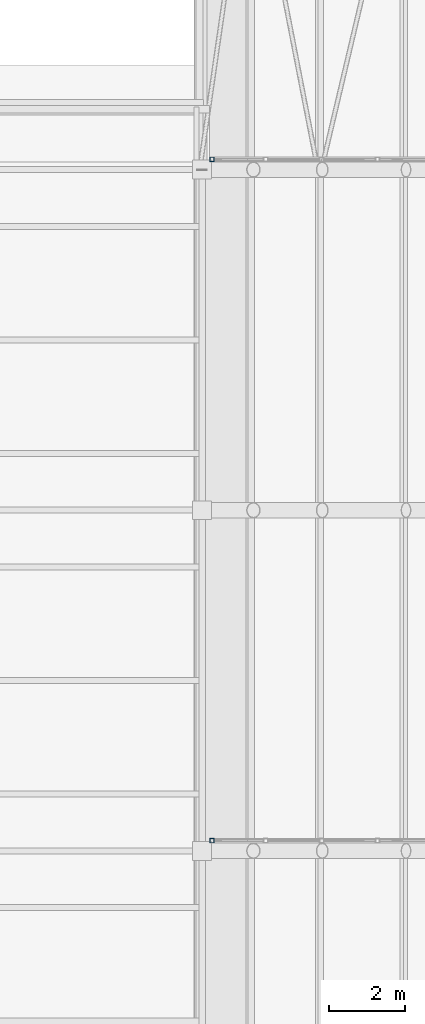
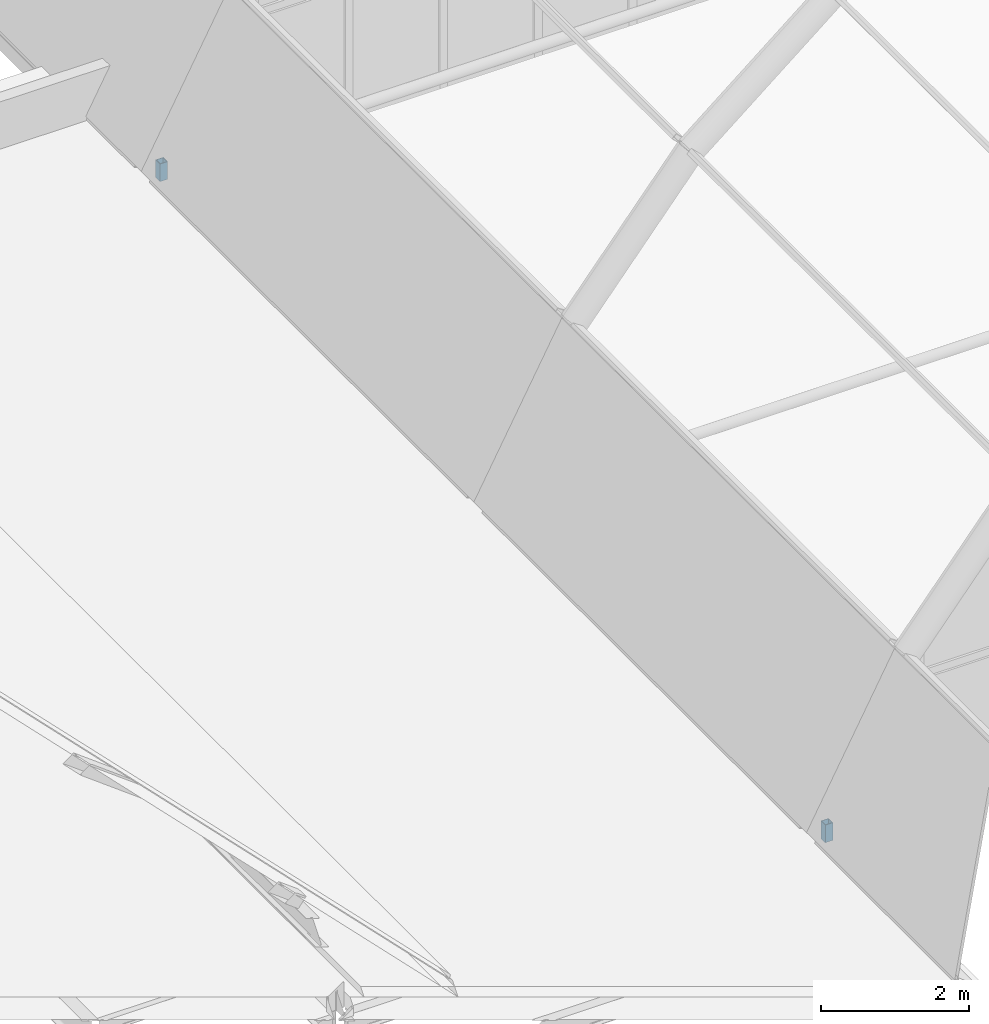
# One storey, part 66 of 121: 2 members, 2 elements without a shape of their own.
"""IFC4 building model written with IfcOpenShell, lengths in metres."""

import ifcopenshell
import ifcopenshell.guid

model = None  # the IFC model being written
_history = None  # IfcOwnerHistory: only IFC2X3 demands one
_inside = {}  # id of a spatial element -> (the spatial element, [elements in it])
_under = {}  # id of a project, library or spatial element -> (it, [spatial elements below it])
_declared = {}  # id of a project -> (the project, [libraries it declares])
_typed = {}  # id of a type object -> (the type object, [elements of that type])
_made_of = {}  # id of a material, layer set ... -> (it, [elements and type objects made of it])


def new_model(schema):
    """Start an empty IFC model of exactly this schema.

    Asked for "IFC4X3", IfcOpenShell would pick the latest addendum, in which some entities
    have other attributes; the version numbers below select the first issue.
    IFC2X3 requires an IfcOwnerHistory on every rooted entity: one is made here for all.
    """
    global model, _history
    if schema == "IFC4X3":
        model = ifcopenshell.file(schema_version=(4, 3, 0, 0))
    else:
        model = ifcopenshell.file(schema=schema)
    _inside.clear()
    _under.clear()
    _declared.clear()
    _typed.clear()
    _made_of.clear()
    _history = None
    if model.schema == "IFC2X3":
        org = make("IfcOrganization", Name="unknown")
        user = make(
            "IfcPersonAndOrganization",
            ThePerson=make("IfcPerson", FamilyName="unknown"),
            TheOrganization=org,
        )
        app = make(
            "IfcApplication",
            ApplicationDeveloper=org,
            Version="unknown",
            ApplicationFullName="unknown",
            ApplicationIdentifier="unknown",
        )
        _history = make(
            "IfcOwnerHistory",
            OwningUser=user,
            OwningApplication=app,
            ChangeAction="ADDED",
            CreationDate=0,
        )
    return model


def make(cls, **values):
    """One entity of the class cls with the attributes given. An attribute that is None is left unset."""
    return model.create_entity(
        cls, **{name: value for name, value in values.items() if value is not None}
    )


def rooted(cls, **values):
    """An entity with a GlobalId (a new one), such as an element, a storey or a relation."""
    return make(cls, GlobalId=ifcopenshell.guid.new(), OwnerHistory=_history, **values)


def si_unit(unit_type, name, prefix=None):
    """IfcSIUnit, for example si_unit("LENGTHUNIT", "METRE", prefix="MILLI")."""
    return make("IfcSIUnit", UnitType=unit_type, Prefix=prefix, Name=name)


def assignment(units):
    """IfcUnitAssignment: the units of a project."""
    return None if units is None else make("IfcUnitAssignment", Units=units)


def point(xyz):
    """IfcCartesianPoint."""
    return None if xyz is None else make("IfcCartesianPoint", Coordinates=xyz)


def direction(xyz):
    """IfcDirection."""
    return None if xyz is None else make("IfcDirection", DirectionRatios=xyz)


def frame(location, z_axis=None, x_axis=None):
    """IfcAxis2Placement3D, a coordinate frame: its origin and axes. An axis left out is left unset."""
    return make(
        "IfcAxis2Placement3D",
        Location=point(location),
        Axis=direction(z_axis),
        RefDirection=direction(x_axis),
    )


def frame_2d(location, x_axis=None):
    """IfcAxis2Placement2D, a coordinate frame in the plane: its origin and x axis."""
    return make(
        "IfcAxis2Placement2D", Location=point(location), RefDirection=direction(x_axis)
    )


def origin():
    """The frame at (0, 0, 0) with its axes left unset."""
    return frame((0.0, 0.0, 0.0))


def origin_2d():
    """The frame at (0, 0) in the plane with its x axis left unset."""
    return frame_2d((0.0, 0.0))


def place(relative_to, where):
    """IfcLocalPlacement: puts the frame where relative to a parent placement (None: the world)."""
    return make(
        "IfcLocalPlacement", PlacementRelTo=relative_to, RelativePlacement=where
    )


def context(
    kind, dimensions, precision=None, world=None, true_north=None, identifier=None
):
    """IfcGeometricRepresentationContext, for example the 3D "Model" context."""
    return make(
        "IfcGeometricRepresentationContext",
        ContextIdentifier=identifier,
        ContextType=kind,
        CoordinateSpaceDimension=dimensions,
        Precision=precision,
        WorldCoordinateSystem=world,
        TrueNorth=true_north,
    )


def subcontext(parent, identifier, kind, view, scale=None):
    """IfcGeometricRepresentationSubContext, for example "Body" below "Model"."""
    return make(
        "IfcGeometricRepresentationSubContext",
        ContextIdentifier=identifier,
        ContextType=kind,
        ParentContext=parent,
        TargetScale=scale,
        TargetView=view,
    )


def project(units=None, contexts=None):
    """IfcProject with its units and contexts."""
    return rooted(
        "IfcProject",
        Name="project",
        RepresentationContexts=contexts,
        UnitsInContext=assignment(units),
    )


def spatial(cls, under=None, at=None, **own):
    """A site, building, storey or space (cls), placed at a placement, below another one or the project."""
    s = rooted(cls, ObjectPlacement=at, **own)
    if under is not None:
        _under.setdefault(under.id(), (under, []))[1].append(s)
    return s


def profile(cls, at=None, kind="AREA", **sizes):
    """A parametric profile (cls). Its sizes go by their IFC names, for example OverallWidth=200.0."""
    return make(cls, ProfileType=kind, Position=at, **sizes)


def hollow_rectangle(**sizes):
    """IfcRectangleHollowProfileDef."""
    return profile("IfcRectangleHollowProfileDef", **sizes)


def extrude(swept, where, along, depth):
    """IfcExtrudedAreaSolid: the profile swept, set in the frame where, extruded along a direction by depth."""
    return make(
        "IfcExtrudedAreaSolid",
        SweptArea=swept,
        Position=where,
        ExtrudedDirection=direction(along),
        Depth=depth,
    )


def shape(context_of_items, identifier, shape_type, items):
    """IfcShapeRepresentation: the items that make up one representation, for example the "Body"."""
    return make(
        "IfcShapeRepresentation",
        ContextOfItems=context_of_items,
        RepresentationIdentifier=identifier,
        RepresentationType=shape_type,
        Items=items,
    )


def material(Name=None, Category=None):
    """IfcMaterial."""
    return make("IfcMaterial", Name=Name, Category=Category)


def material_profile(
    of_material, cross_section, Name=None, Category=None, Priority=None
):
    """IfcMaterialProfile: a cross section and its material."""
    return make(
        "IfcMaterialProfile",
        Name=Name,
        Material=of_material,
        Profile=cross_section,
        Priority=Priority,
        Category=Category,
    )


def profile_set(profiles, Name=None, composite=None):
    """IfcMaterialProfileSet."""
    return make(
        "IfcMaterialProfileSet",
        Name=Name,
        MaterialProfiles=profiles,
        CompositeProfile=composite,
    )


def made_of(thing, what):
    """Note that an element or type object is made of a material, layer set ...; save() writes the relation."""
    if what is not None:
        _made_of.setdefault(what.id(), (what, []))[1].append(thing)
    return thing


def type_object(cls, material=None, **own):
    """A type object (cls), such as IfcWallType, which elements share."""
    return made_of(rooted(cls, **own), material)


def element(
    cls,
    number,
    at=None,
    inside=None,
    cuts=None,
    type_object=None,
    material=None,
    context=None,
    identifier="Body",
    shape_type=None,
    held_by="IfcProductDefinitionShape",
    body=None,
    shapes=None,
    **own,
):
    """One element of the class cls, such as IfcWall. Its Tag is "e" and its number.

    at: its placement. inside: the storey or other place that contains it. cuts: it is an
    opening in that element (IfcRelVoidsElement). A single representation is given by context,
    identifier, shape_type and body (its items); several are given by shapes. held_by: the class
    of the entity that holds the representations. save() writes the other relations.
    """
    e = rooted(cls, Tag="e%d" % number, ObjectPlacement=at, **own)
    if body is not None:
        shapes = [shape(context, identifier, shape_type, body)]
    if shapes is not None:
        e.Representation = make(held_by, Representations=shapes)
    if inside is not None:
        _inside.setdefault(inside.id(), (inside, []))[1].append(e)
    if cuts is not None:
        rooted(
            "IfcRelVoidsElement", RelatingBuildingElement=cuts, RelatedOpeningElement=e
        )
    if type_object is not None:
        _typed.setdefault(type_object.id(), (type_object, []))[1].append(e)
    return made_of(e, material)


def aggregate(whole, parts):
    """IfcRelAggregates: a whole, such as a stair, and the parts it consists of."""
    return rooted("IfcRelAggregates", RelatingObject=whole, RelatedObjects=parts)


def save(model, path):
    """Write the relations noted so far, then the file.

    IfcRelAggregates (storeys below a building ...), IfcRelContainedInSpatialStructure (elements
    in a storey), IfcRelDefinesByType, IfcRelAssociatesMaterial and IfcRelDeclares: one each for
    every whole, place, type object, material and project.
    """
    for whole, parts in _under.values():
        aggregate(whole, parts)
    for where, things in _inside.values():
        rooted(
            "IfcRelContainedInSpatialStructure",
            RelatedElements=things,
            RelatingStructure=where,
        )
    for kind, things in _typed.values():
        rooted("IfcRelDefinesByType", RelatedObjects=things, RelatingType=kind)
    for what, things in _made_of.values():
        rooted("IfcRelAssociatesMaterial", RelatedObjects=things, RelatingMaterial=what)
    for by, libraries in _declared.values():
        rooted("IfcRelDeclares", RelatingContext=by, RelatedDefinitions=libraries)
    model.write(path)


model = new_model("IFC4")

# Units and contexts
model_context = context("Model", 3, precision=1e-05, world=origin(), true_north=direction((0.0, 1.0)))
body_context = subcontext(model_context, "Body", "Model", "MODEL_VIEW")
ifc_project = project(units=[si_unit("LENGTHUNIT", "METRE"), si_unit("AREAUNIT", "SQUARE_METRE"), si_unit("VOLUMEUNIT", "CUBIC_METRE"), si_unit("PLANEANGLEUNIT", "RADIAN"), si_unit("MASSUNIT", "GRAM", prefix="KILO")], contexts=[model_context])

# Site, building, storey
site_placement = place(None, origin())
site = spatial("IfcSite", under=ifc_project, at=site_placement, CompositionType="ELEMENT")
building_placement = place(site_placement, origin())
building = spatial("IfcBuilding", under=site, at=building_placement, Name="Golden Quay Civic Hall", CompositionType="ELEMENT")
storey_placement = place(building_placement, frame((0.0, 0.0, 18.60009765625)))
storey = spatial("IfcBuildingStorey", under=building, at=storey_placement, Name="L04", CompositionType="ELEMENT", Elevation=18.60009765625)

# Curtain wall, member
ifc_material_1 = material(Name="Fire-resisting glass and steel", Category="steel")
curtain_wall_type = type_object("IfcCurtainWallType", Name="Fire-resisting glazed curtain wall EI 120", PredefinedType="NOTDEFINED", material=ifc_material_1)
curtain_wall_1_placement = place(storey_placement, origin())
curtain_wall_1 = element("IfcCurtainWall", 1, at=curtain_wall_1_placement, inside=storey, type_object=curtain_wall_type, Name="Curtain wall tympanum fire2", PredefinedType="NOTDEFINED")
ifc_material_2 = material(Name="Steel S355", Category="steel")
ifc_material_profile = material_profile(ifc_material_2, hollow_rectangle(XDim=0.1201171875, YDim=0.1201171875, WallThickness=0.008056640625, at=origin_2d()), Name="SHS 120x120x8")
ifc_profile_set = profile_set([ifc_material_profile], Name="Steel S355")
member_type = type_object("IfcMemberType", Name="Fire-resisting steel mullion SHS 120x120x8", PredefinedType="MULLION", material=ifc_profile_set)
member_1_placement = place(storey_placement, frame((72.260009765625, 36.27001953125, -0.25), z_axis=(0.0, 0.0, 1.0), x_axis=(0.0, 1.0, 0.0)))
member_1 = element("IfcMember", 2, at=member_1_placement, type_object=member_type, Name="Tympanum mullion 1", PredefinedType="MULLION", context=body_context, shape_type="SweptSolid", body=[
    extrude(hollow_rectangle(XDim=0.1201171875, YDim=0.1201171875, WallThickness=0.008056640625, at=origin_2d()), origin(), (0.0, 0.0, 1.0), 0.292724609375),
])
aggregate(curtain_wall_1, [member_1])

curtain_wall_2_placement = place(storey_placement, origin())
curtain_wall_2 = element("IfcCurtainWall", 3, at=curtain_wall_2_placement, inside=storey, type_object=curtain_wall_type, Name="Curtain wall tympanum fire3", PredefinedType="NOTDEFINED")
member_2_placement = place(storey_placement, frame((72.260009765625, 54.27001953125, -0.25), z_axis=(0.0, 0.0, 1.0), x_axis=(0.0, 1.0, 0.0)))
member_2 = element("IfcMember", 4, at=member_2_placement, type_object=member_type, Name="Tympanum mullion 1", PredefinedType="MULLION", context=body_context, shape_type="SweptSolid", body=[
    extrude(hollow_rectangle(XDim=0.1201171875, YDim=0.1201171875, WallThickness=0.008056640625, at=origin_2d()), origin(), (0.0, 0.0, 1.0), 0.292724609375),
])
aggregate(curtain_wall_2, [member_2])

save(model, "model.ifc")
